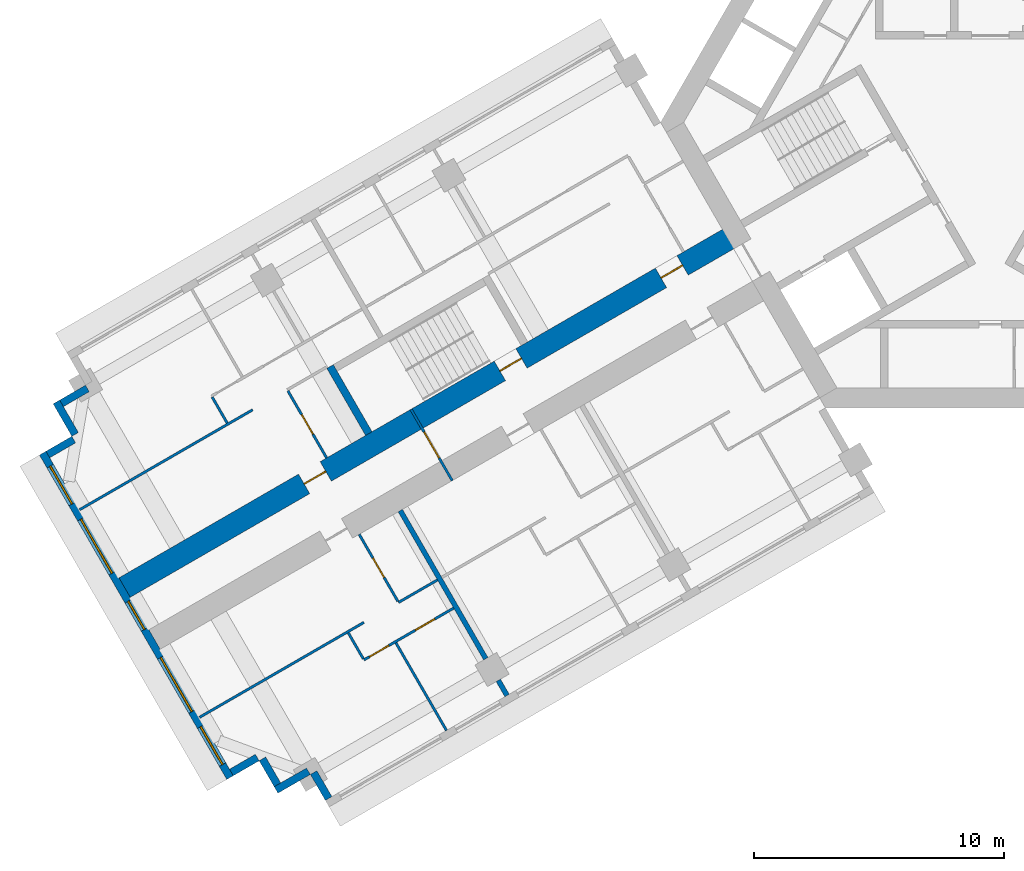
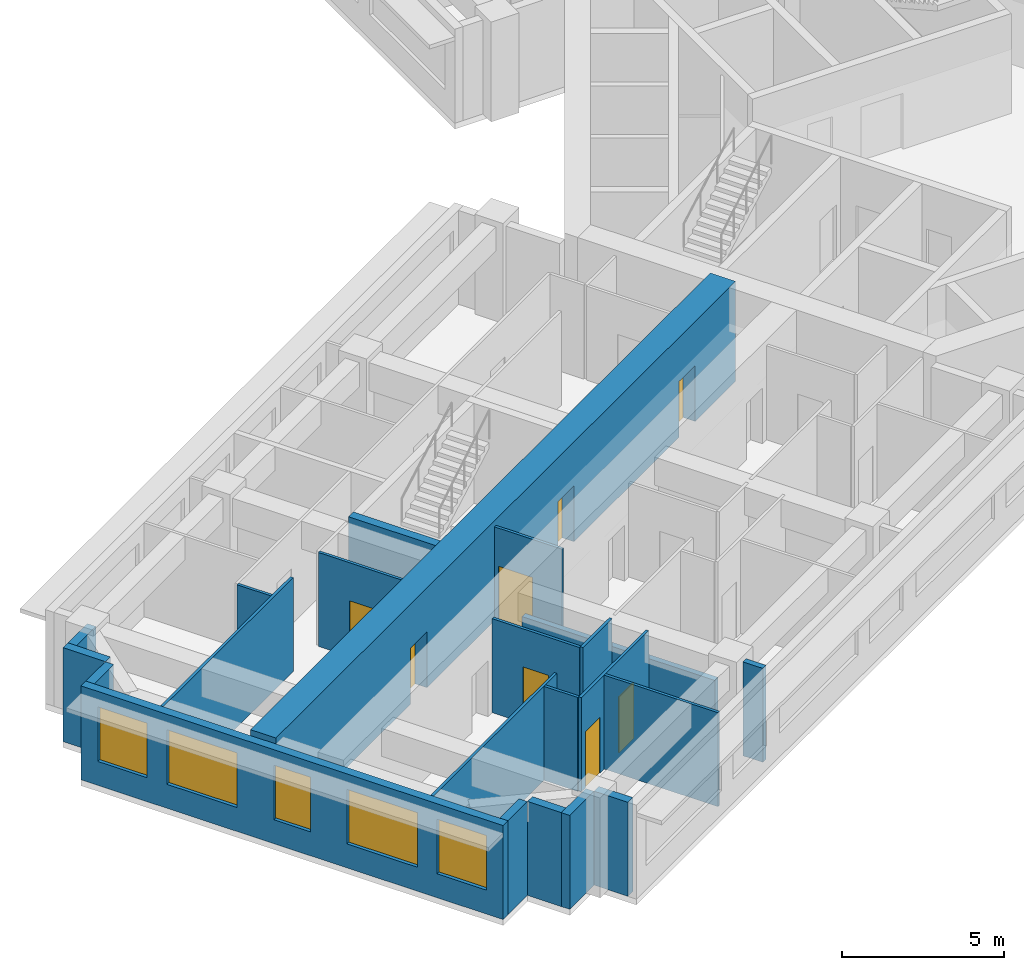
# One storey, part 2 of 12: 22 walls, 8 doors, 5 windows, 13 openings.
"""IFC4 building model written with IfcOpenShell, lengths in metres."""

from ifc_helpers import new_model, si_unit, direction, frame, frame_2d, origin, place, context, subcontext, project, spatial, rectangle, extrude, material, layer, layer_set, type_object, element, fill, save


model = new_model("IFC4")

# Units and contexts
model_context = context("Model", 3, precision=1e-05, world=origin(), true_north=direction((0.0, 1.0)))
body_context = subcontext(model_context, "Body", "Model", "MODEL_VIEW")
ifc_project = project(units=[si_unit("LENGTHUNIT", "METRE"), si_unit("AREAUNIT", "SQUARE_METRE"), si_unit("VOLUMEUNIT", "CUBIC_METRE"), si_unit("PLANEANGLEUNIT", "RADIAN"), si_unit("MASSUNIT", "GRAM", prefix="KILO")], contexts=[model_context])

# Site, building, storey
site_placement = place(None, origin())
site = spatial("IfcSite", under=ifc_project, at=site_placement, CompositionType="ELEMENT")
building_placement = place(site_placement, origin())
building = spatial("IfcBuilding", under=site, at=building_placement, Name="Impinga Residences", CompositionType="ELEMENT")
storey_placement = place(building_placement, frame((0.0, 0.0, 169.75)))
storey = spatial("IfcBuildingStorey", under=building, at=storey_placement, Name="L42", CompositionType="ELEMENT", Elevation=169.75)

# Wall, openings, doors
ifc_material_1 = material(Name="Concrete C60/75", Category="concrete")
ifc_layer_1 = layer(ifc_material_1, 0.89990234375)
ifc_layer_set_1 = layer_set([ifc_layer_1], Name="Concrete C60/75")
wall_type_1 = type_object("IfcWallType", Name="BW2 corridor buttress wall, L24 to L44 900", PredefinedType="SHEAR", material=ifc_layer_set_1)
wall_1_placement = place(storey_placement, frame((-10.153564453125, -4.4765625, 0.0), z_axis=(0.0, 0.0, 1.0), x_axis=(-0.866027127636, -0.49999701419, 0.0)))
wall_1 = element("IfcWall", 1, at=wall_1_placement, inside=storey, type_object=wall_type_1, Name="Corridor wall BW2 WD L42", PredefinedType="SHEAR", context=body_context, shape_type="SweptSolid", body=[
    extrude(rectangle(XDim=28.300048828125, YDim=0.89990234375, at=frame_2d((14.14990234375, 0.0))), origin(), (0.0, 0.0, 1.0), 3.75),
])
opening_1_placement = place(wall_1_placement, frame((9.949951171875, 0.0, 0.0)))
opening_1 = element("IfcOpeningElement", 2, at=opening_1_placement, cuts=wall_1, Name="Opening D5", PredefinedType="OPENING", context=body_context, shape_type="SweptSolid", body=[
    extrude(rectangle(XDim=1.0, YDim=2.10009765625, at=frame_2d((0.5, 1.050048828125))), frame((0.0, 0.4599609375, 0.0), z_axis=(0.0, -1.0, 0.0), x_axis=(1.0, 0.0, 0.0)), (0.0, 0.0, 1.0), 0.919921875),
])
opening_2_placement = place(wall_1_placement, frame((2.5, 0.0, 0.0)))
opening_2 = element("IfcOpeningElement", 3, at=opening_2_placement, cuts=wall_1, Name="Opening D1", PredefinedType="OPENING", context=body_context, shape_type="SweptSolid", body=[
    extrude(rectangle(XDim=1.0, YDim=2.10009765625, at=frame_2d((0.5, 1.050048828125))), frame((0.0, 0.4599609375, 0.0), z_axis=(0.0, -1.0, 0.0), x_axis=(1.0, 0.0, 0.0)), (0.0, 0.0, 1.0), 0.919921875),
])
opening_3_placement = place(wall_1_placement, frame((19.0, 0.0, 0.0)))
opening_3 = element("IfcOpeningElement", 4, at=opening_3_placement, cuts=wall_1, Name="Opening D1", PredefinedType="OPENING", context=body_context, shape_type="SweptSolid", body=[
    extrude(rectangle(XDim=1.0, YDim=2.10009765625, at=frame_2d((0.5, 1.050048828125))), frame((0.0, 0.4599609375, 0.0), z_axis=(0.0, -1.0, 0.0), x_axis=(1.0, 0.0, 0.0)), (0.0, 0.0, 1.0), 0.919921875),
])
ifc_material_2 = material(Name="Timber door set", Category="wood")
door_type_1 = type_object("IfcDoorType", Name="D1 apartment entrance door 1000x2100", OperationType="SINGLE_SWING_LEFT", PredefinedType="DOOR", material=ifc_material_2)
door_1_placement = place(opening_2_placement, origin())
door_1 = element("IfcDoor", 5, at=door_1_placement, inside=storey, type_object=door_type_1, Name="Apartment L42-WF1 entrance", OperationType="SINGLE_SWING_LEFT", OverallHeight=2.10009765625, OverallWidth=1.0, PredefinedType="DOOR", context=body_context, shape_type="SweptSolid", body=[
    extrude(rectangle(XDim=1.0, YDim=2.10009765625, at=frame_2d((0.5, 1.050048828125))), frame((0.0, 0.02490234375, 0.0), z_axis=(0.0, -1.0, 0.0), x_axis=(1.0, 0.0, 0.0)), (0.0, 0.0, 1.0), 0.050048828125),
])
fill(opening_2, door_1)
door_2_placement = place(opening_3_placement, origin())
door_2 = element("IfcDoor", 6, at=door_2_placement, inside=storey, type_object=door_type_1, Name="Apartment L42-WF2 entrance", OperationType="SINGLE_SWING_RIGHT", OverallHeight=2.10009765625, OverallWidth=1.0, PredefinedType="DOOR", context=body_context, shape_type="SweptSolid", body=[
    extrude(rectangle(XDim=1.0, YDim=2.10009765625, at=frame_2d((0.5, 1.050048828125))), frame((0.0, 0.02490234375, 0.0), z_axis=(0.0, -1.0, 0.0), x_axis=(1.0, 0.0, 0.0)), (0.0, 0.0, 1.0), 0.050048828125),
])
fill(opening_3, door_2)
door_type_2 = type_object("IfcDoorType", Name="D5 stair door 1000x2100", OperationType="SINGLE_SWING_LEFT", PredefinedType="DOOR", material=ifc_material_2)
door_3_placement = place(opening_1_placement, origin())
door_3 = element("IfcDoor", 7, at=door_3_placement, inside=storey, type_object=door_type_2, Name="Wing stair door W", OperationType="SINGLE_SWING_LEFT", OverallHeight=2.10009765625, OverallWidth=1.0, PredefinedType="DOOR", context=body_context, shape_type="SweptSolid", body=[
    extrude(rectangle(XDim=1.0, YDim=2.10009765625, at=frame_2d((0.5, 1.050048828125))), frame((0.0, 0.02490234375, 0.0), z_axis=(0.0, -1.0, 0.0), x_axis=(1.0, 0.0, 0.0)), (0.0, 0.0, 1.0), 0.050048828125),
])
fill(opening_1, door_3)

# Wall, opening, door
ifc_material_3 = material(Name="Concrete blockwork", Category="masonry")
ifc_layer_2 = layer(ifc_material_3, 0.10009765625)
ifc_layer_set_2 = layer_set([ifc_layer_2], Name="CP1 core room partition, blockwork 100")
wall_type_2 = type_object("IfcWallType", Name="CP1 core room partition, blockwork 100", PredefinedType="PARTITIONING", material=ifc_layer_set_2)
wall_2_placement = place(storey_placement, frame((-21.545654296875, -14.3447265625, 0.0), z_axis=(0.0, 0.0, 1.0), x_axis=(-0.50002983664, 0.866008176907, 0.0)))
wall_2 = element("IfcWall", 8, at=wall_2_placement, inside=storey, type_object=wall_type_2, Name="Core room partition, blockwork L42:W:PLB", PredefinedType="PARTITIONING", context=body_context, shape_type="SweptSolid", body=[
    extrude(rectangle(XDim=3.300048828125, YDim=0.10009765625, at=frame_2d((1.64990234375, 0.0))), origin(), (0.0, 0.0, 1.0), 3.530029296875),
])
opening_4_placement = place(wall_2_placement, frame((1.050048828125, 0.0, 0.0)))
opening_4 = element("IfcOpeningElement", 9, at=opening_4_placement, cuts=wall_2, Name="Opening D3", PredefinedType="OPENING", context=body_context, shape_type="SweptSolid", body=[
    extrude(rectangle(XDim=1.199951171875, YDim=2.10009765625, at=frame_2d((0.60009765625, 1.050048828125))), frame((0.0, 0.06005859375, 0.0), z_axis=(0.0, -1.0, 0.0), x_axis=(1.0, 0.0, 0.0)), (0.0, 0.0, 1.0), 0.1201171875),
])
door_type_3 = type_object("IfcDoorType", Name="D3 room door, leaf and a half 1200x2100", OperationType="DOUBLE_SWING_LEFT", PredefinedType="DOOR", material=ifc_material_2)
door_4_placement = place(opening_4_placement, origin())
door_4 = element("IfcDoor", 10, at=door_4_placement, inside=storey, type_object=door_type_3, Name="Private lobby door W", OperationType="DOUBLE_SWING_LEFT", OverallHeight=2.10009765625, OverallWidth=1.199951171875, PredefinedType="DOOR", context=body_context, shape_type="SweptSolid", body=[
    extrude(rectangle(XDim=1.199951171875, YDim=2.10009765625, at=frame_2d((0.60009765625, 1.050048828125))), frame((0.0, 0.02490234375, 0.0), z_axis=(0.0, -1.0, 0.0), x_axis=(1.0, 0.0, 0.0)), (0.0, 0.0, 1.0), 0.050048828125),
])
fill(opening_4, door_4)

# Walls
ifc_material_4 = material(Name="Terracotta rainscreen on blockwork", Category="masonry")
ifc_layer_3 = layer(ifc_material_4, 0.300048828125)
ifc_layer_set_3 = layer_set([ifc_layer_3], Name="EW1 external wall, terracotta rainscreen on blockwork 300")
wall_type_3 = type_object("IfcWallType", Name="EW1 external wall, terracotta rainscreen on blockwork 300", PredefinedType="SOLIDWALL", material=ifc_layer_set_3)
wall_3_placement = place(storey_placement, frame((-26.493896484375, -27.07421875, 0.0), z_axis=(0.0, 0.0, 1.0), x_axis=(-0.500033551112, 0.866006032174, 0.0)))
element("IfcWall", 11, at=wall_3_placement, inside=storey, type_object=wall_type_3, Name="External wall EW1 L42", PredefinedType="SOLIDWALL", context=body_context, shape_type="SweptSolid", body=[
    extrude(rectangle(XDim=1.2001953125, YDim=0.300048828125, at=frame_2d((0.60009765625, 0.0))), origin(), (0.0, 0.0, 1.0), 3.530029296875),
])
wall_4_placement = place(storey_placement, frame((-27.30322265625, -25.982666015625, 0.0), z_axis=(0.0, 0.0, 1.0), x_axis=(-0.866074087889, -0.499915667175, 0.0)))
element("IfcWall", 12, at=wall_4_placement, inside=storey, type_object=wall_type_3, Name="External wall EW1 L42", PredefinedType="SOLIDWALL", context=body_context, shape_type="SweptSolid", body=[
    extrude(rectangle(XDim=1.494873046875, YDim=0.300048828125, at=frame_2d((0.74755859375, 0.0))), origin(), (0.0, 0.0, 1.0), 3.530029296875),
])
wall_5_placement = place(storey_placement, frame((-28.54296875, -26.525146484375, 0.0), z_axis=(0.0, 0.0, 1.0), x_axis=(-0.500033551112, 0.866006032174, 0.0)))
element("IfcWall", 13, at=wall_5_placement, inside=storey, type_object=wall_type_3, Name="External wall EW1 L42", PredefinedType="SOLIDWALL", context=body_context, shape_type="SweptSolid", body=[
    extrude(rectangle(XDim=1.2001953125, YDim=0.300048828125, at=frame_2d((0.60009765625, 0.0))), origin(), (0.0, 0.0, 1.0), 3.530029296875),
])
wall_6_placement = place(storey_placement, frame((-29.352294921875, -25.43359375, 0.0), z_axis=(0.0, 0.0, 1.0), x_axis=(-0.866059708757, -0.499940577336, 0.0)))
element("IfcWall", 14, at=wall_6_placement, inside=storey, type_object=wall_type_3, Name="External wall EW1 L42", PredefinedType="SOLIDWALL", context=body_context, shape_type="SweptSolid", body=[
    extrude(rectangle(XDim=1.195068359375, YDim=0.300048828125, at=frame_2d((0.59765625, 0.0))), origin(), (0.0, 0.0, 1.0), 3.530029296875),
])

# Wall, openings, windows
wall_7_placement = place(storey_placement, frame((-30.44189453125, -26.23583984375, 0.0), z_axis=(0.0, 0.0, 1.0), x_axis=(-0.500004234368, 0.866022959057, 0.0)))
wall_7 = element("IfcWall", 15, at=wall_7_placement, inside=storey, type_object=wall_type_3, Name="External wall EW1 L42", PredefinedType="SOLIDWALL", context=body_context, shape_type="SweptSolid", body=[
    extrude(rectangle(XDim=14.999755859375, YDim=0.300048828125, at=frame_2d((7.5, 0.0))), origin(), (0.0, 0.0, 1.0), 3.530029296875),
])
opening_5_placement = place(wall_7_placement, frame((0.60009765625, 0.0, 0.89990234375)))
opening_5 = element("IfcOpeningElement", 16, at=opening_5_placement, cuts=wall_7, Name="Opening W1", PredefinedType="OPENING", context=body_context, shape_type="SweptSolid", body=[
    extrude(rectangle(XDim=1.75, YDim=2.050048828125, at=frame_2d((0.875, 1.02490234375))), frame((0.0, 0.159912109375, 0.0), z_axis=(0.0, -1.0, 0.0), x_axis=(1.0, 0.0, 0.0)), (0.0, 0.0, 1.0), 0.320068359375),
])
opening_6_placement = place(wall_7_placement, frame((3.050048828125, 0.0, 0.89990234375)))
opening_6 = element("IfcOpeningElement", 17, at=opening_6_placement, cuts=wall_7, Name="Opening W2", PredefinedType="OPENING", context=body_context, shape_type="SweptSolid", body=[
    extrude(rectangle(XDim=2.5, YDim=2.050048828125, at=frame_2d((1.25, 1.02490234375))), frame((0.0, 0.159912109375, 0.0), z_axis=(0.0, -1.0, 0.0), x_axis=(1.0, 0.0, 0.0)), (0.0, 0.0, 1.0), 0.320068359375),
])
opening_7_placement = place(wall_7_placement, frame((6.85009765625, 0.0, 0.89990234375)))
opening_7 = element("IfcOpeningElement", 18, at=opening_7_placement, cuts=wall_7, Name="Opening W17", PredefinedType="OPENING", context=body_context, shape_type="SweptSolid", body=[
    extrude(rectangle(XDim=1.300048828125, YDim=2.050048828125, at=frame_2d((0.64990234375, 1.02490234375))), frame((0.0, 0.159912109375, 0.0), z_axis=(0.0, -1.0, 0.0), x_axis=(1.0, 0.0, 0.0)), (0.0, 0.0, 1.0), 0.320068359375),
])
opening_8_placement = place(wall_7_placement, frame((9.449951171875, 0.0, 0.89990234375)))
opening_8 = element("IfcOpeningElement", 19, at=opening_8_placement, cuts=wall_7, Name="Opening W2", PredefinedType="OPENING", context=body_context, shape_type="SweptSolid", body=[
    extrude(rectangle(XDim=2.5, YDim=2.050048828125, at=frame_2d((1.25, 1.02490234375))), frame((0.0, 0.159912109375, 0.0), z_axis=(0.0, -1.0, 0.0), x_axis=(1.0, 0.0, 0.0)), (0.0, 0.0, 1.0), 0.320068359375),
])
opening_9_placement = place(wall_7_placement, frame((12.64990234375, 0.0, 0.89990234375)))
opening_9 = element("IfcOpeningElement", 20, at=opening_9_placement, cuts=wall_7, Name="Opening W1", PredefinedType="OPENING", context=body_context, shape_type="SweptSolid", body=[
    extrude(rectangle(XDim=1.75, YDim=2.050048828125, at=frame_2d((0.875, 1.02490234375))), frame((0.0, 0.159912109375, 0.0), z_axis=(0.0, -1.0, 0.0), x_axis=(1.0, 0.0, 0.0)), (0.0, 0.0, 1.0), 0.320068359375),
])
ifc_material_5 = material(Name="Aluminium window, clear double glazing", Category="aluminium")
window_type_1 = type_object("IfcWindowType", Name="W1 ribbon window 1750x2050", PartitioningType="SINGLE_PANEL", PredefinedType="WINDOW", material=ifc_material_5)
window_1_placement = place(opening_5_placement, origin())
window_1 = element("IfcWindow", 21, at=window_1_placement, inside=storey, type_object=window_type_1, Name="Window L42", OverallHeight=2.050048828125, OverallWidth=1.75, PartitioningType="SINGLE_PANEL", PredefinedType="WINDOW", context=body_context, shape_type="SweptSolid", body=[
    extrude(rectangle(XDim=1.75, YDim=2.050048828125, at=frame_2d((0.875, 1.02490234375))), frame((0.0, 0.030029296875, 0.0), z_axis=(0.0, -1.0, 0.0), x_axis=(1.0, 0.0, 0.0)), (0.0, 0.0, 1.0), 0.06005859375),
])
fill(opening_5, window_1)
window_2_placement = place(opening_9_placement, origin())
window_2 = element("IfcWindow", 22, at=window_2_placement, inside=storey, type_object=window_type_1, Name="Window L42", OverallHeight=2.050048828125, OverallWidth=1.75, PartitioningType="SINGLE_PANEL", PredefinedType="WINDOW", context=body_context, shape_type="SweptSolid", body=[
    extrude(rectangle(XDim=1.75, YDim=2.050048828125, at=frame_2d((0.875, 1.02490234375))), frame((0.0, 0.030029296875, 0.0), z_axis=(0.0, -1.0, 0.0), x_axis=(1.0, 0.0, 0.0)), (0.0, 0.0, 1.0), 0.06005859375),
])
fill(opening_9, window_2)
window_type_2 = type_object("IfcWindowType", Name="W17 ribbon window 1300x2050", PartitioningType="SINGLE_PANEL", PredefinedType="WINDOW", material=ifc_material_5)
window_3_placement = place(opening_7_placement, origin())
window_3 = element("IfcWindow", 23, at=window_3_placement, inside=storey, type_object=window_type_2, Name="Window L42", OverallHeight=2.050048828125, OverallWidth=1.300048828125, PartitioningType="SINGLE_PANEL", PredefinedType="WINDOW", context=body_context, shape_type="SweptSolid", body=[
    extrude(rectangle(XDim=1.300048828125, YDim=2.050048828125, at=frame_2d((0.64990234375, 1.02490234375))), frame((0.0, 0.030029296875, 0.0), z_axis=(0.0, -1.0, 0.0), x_axis=(1.0, 0.0, 0.0)), (0.0, 0.0, 1.0), 0.06005859375),
])
fill(opening_7, window_3)
window_type_3 = type_object("IfcWindowType", Name="W2 ribbon window 2500x2050", PartitioningType="SINGLE_PANEL", PredefinedType="WINDOW", material=ifc_material_5)
window_4_placement = place(opening_6_placement, origin())
window_4 = element("IfcWindow", 24, at=window_4_placement, inside=storey, type_object=window_type_3, Name="Window L42", OverallHeight=2.050048828125, OverallWidth=2.5, PartitioningType="SINGLE_PANEL", PredefinedType="WINDOW", context=body_context, shape_type="SweptSolid", body=[
    extrude(rectangle(XDim=2.5, YDim=2.050048828125, at=frame_2d((1.25, 1.02490234375))), frame((0.0, 0.030029296875, 0.0), z_axis=(0.0, -1.0, 0.0), x_axis=(1.0, 0.0, 0.0)), (0.0, 0.0, 1.0), 0.06005859375),
])
fill(opening_6, window_4)
window_5_placement = place(opening_8_placement, origin())
window_5 = element("IfcWindow", 25, at=window_5_placement, inside=storey, type_object=window_type_3, Name="Window L42", OverallHeight=2.050048828125, OverallWidth=2.5, PartitioningType="SINGLE_PANEL", PredefinedType="WINDOW", context=body_context, shape_type="SweptSolid", body=[
    extrude(rectangle(XDim=2.5, YDim=2.050048828125, at=frame_2d((1.25, 1.02490234375))), frame((0.0, 0.030029296875, 0.0), z_axis=(0.0, -1.0, 0.0), x_axis=(1.0, 0.0, 0.0)), (0.0, 0.0, 1.0), 0.06005859375),
])
fill(opening_8, window_5)

# Walls
wall_8_placement = place(storey_placement, frame((-37.737060546875, -13.300537109375, 0.0), z_axis=(0.0, 0.0, 1.0), x_axis=(0.865971243484, 0.500093796661, 0.0)))
element("IfcWall", 26, at=wall_8_placement, inside=storey, type_object=wall_type_3, Name="External wall EW1 L42", PredefinedType="SOLIDWALL", context=body_context, shape_type="SweptSolid", body=[
    extrude(rectangle(XDim=1.195068359375, YDim=0.300048828125, at=frame_2d((0.59765625, 0.0))), origin(), (0.0, 0.0, 1.0), 3.530029296875),
])
wall_9_placement = place(storey_placement, frame((-36.64306640625, -12.49560546875, 0.0), z_axis=(0.0, 0.0, 1.0), x_axis=(-0.499990139034, 0.866031096941, 0.0)))
element("IfcWall", 27, at=wall_9_placement, inside=storey, type_object=wall_type_3, Name="External wall EW1 L42", PredefinedType="SOLIDWALL", context=body_context, shape_type="SweptSolid", body=[
    extrude(rectangle(XDim=1.5, YDim=0.300048828125, at=frame_2d((0.75, 0.0))), origin(), (0.0, 0.0, 1.0), 3.530029296875),
])
wall_10_placement = place(storey_placement, frame((-37.18798828125, -11.25146484375, 0.0), z_axis=(0.0, 0.0, 1.0), x_axis=(0.866059708757, 0.499940577336, 0.0)))
element("IfcWall", 28, at=wall_10_placement, inside=storey, type_object=wall_type_3, Name="External wall EW1 L42", PredefinedType="SOLIDWALL", context=body_context, shape_type="SweptSolid", body=[
    extrude(rectangle(XDim=1.195068359375, YDim=0.300048828125, at=frame_2d((0.59765625, 0.0))), origin(), (0.0, 0.0, 1.0), 3.530029296875),
])
ifc_material_6 = material(Name="Gypsum board on steel studs", Category="steel")
ifc_layer_4 = layer(ifc_material_6, 0.10009765625)
ifc_layer_set_4 = layer_set([ifc_layer_4], Name="Gypsum board on steel studs")
wall_type_4 = type_object("IfcWallType", Name="IP1 partition 100", PredefinedType="PARTITIONING", material=ifc_layer_set_4)
wall_11_placement = place(storey_placement, frame((-22.1357421875, -18.32275390625, 0.0), z_axis=(0.0, 0.0, 1.0), x_axis=(-0.866047807691, -0.499961193289, 0.0)))
element("IfcWall", 29, at=wall_11_placement, inside=storey, type_object=wall_type_4, Name="Partition L42-WA3:DIV0", PredefinedType="PARTITIONING", context=body_context, shape_type="SweptSolid", body=[
    extrude(rectangle(XDim=1.800048828125, YDim=0.10009765625, at=frame_2d((0.89990234375, 0.0))), origin(), (0.0, 0.0, 1.0), 3.530029296875),
])
wall_12_placement = place(storey_placement, frame((-25.080322265625, -20.022705078125, 0.0), z_axis=(0.0, 0.0, 1.0), x_axis=(-0.866022425744, -0.500005158081, 0.0)))
element("IfcWall", 30, at=wall_12_placement, inside=storey, type_object=wall_type_4, Name="Partition L42-WA3:DIV1", PredefinedType="PARTITIONING", context=body_context, shape_type="SweptSolid", body=[
    extrude(rectangle(XDim=7.60009765625, YDim=0.10009765625, at=frame_2d((3.800048828125, 0.0))), origin(), (0.0, 0.0, 1.0), 3.530029296875),
])

# Wall, openings, doors
wall_13_placement = place(storey_placement, frame((-21.48583984375, -19.448486328125, 0.0), z_axis=(0.0, 0.0, 1.0), x_axis=(-0.86602981871, -0.499992353047, 0.0)))
wall_13 = element("IfcWall", 31, at=wall_13_placement, inside=storey, type_object=wall_type_4, Name="Partition L42-WA3:STRIP", PredefinedType="PARTITIONING", context=body_context, shape_type="SweptSolid", body=[
    extrude(rectangle(XDim=4.14990234375, YDim=0.10009765625, at=frame_2d((2.074951171875, 0.0))), origin(), (0.0, 0.0, 1.0), 3.530029296875),
])
opening_10_placement = place(wall_13_placement, frame((0.875, 0.0, 0.0)))
opening_10 = element("IfcOpeningElement", 32, at=opening_10_placement, cuts=wall_13, Name="Opening D2", PredefinedType="OPENING", context=body_context, shape_type="SweptSolid", body=[
    extrude(rectangle(XDim=0.89990234375, YDim=2.10009765625, at=frame_2d((0.449951171875, 1.050048828125))), frame((0.0, 0.06005859375, 0.0), z_axis=(0.0, -1.0, 0.0), x_axis=(1.0, 0.0, 0.0)), (0.0, 0.0, 1.0), 0.1201171875),
])
opening_11_placement = place(wall_13_placement, frame((3.0, 0.0, 0.0)))
opening_11 = element("IfcOpeningElement", 33, at=opening_11_placement, cuts=wall_13, Name="Opening D2", PredefinedType="OPENING", context=body_context, shape_type="SweptSolid", body=[
    extrude(rectangle(XDim=0.89990234375, YDim=2.10009765625, at=frame_2d((0.449951171875, 1.050048828125))), frame((0.0, 0.06005859375, 0.0), z_axis=(0.0, -1.0, 0.0), x_axis=(1.0, 0.0, 0.0)), (0.0, 0.0, 1.0), 0.1201171875),
])
door_type_4 = type_object("IfcDoorType", Name="D2 internal door 900x2100", OperationType="SINGLE_SWING_LEFT", PredefinedType="DOOR", material=ifc_material_2)
door_5_placement = place(opening_10_placement, origin())
door_5 = element("IfcDoor", 34, at=door_5_placement, inside=storey, type_object=door_type_4, Name="Apartment L42-WA3 room door", OperationType="SINGLE_SWING_LEFT", OverallHeight=2.10009765625, OverallWidth=0.89990234375, PredefinedType="DOOR", context=body_context, shape_type="SweptSolid", body=[
    extrude(rectangle(XDim=0.89990234375, YDim=2.10009765625, at=frame_2d((0.449951171875, 1.050048828125))), frame((0.0, 0.02490234375, 0.0), z_axis=(0.0, -1.0, 0.0), x_axis=(1.0, 0.0, 0.0)), (0.0, 0.0, 1.0), 0.050048828125),
])
fill(opening_10, door_5)
door_6_placement = place(opening_11_placement, origin())
door_6 = element("IfcDoor", 35, at=door_6_placement, inside=storey, type_object=door_type_4, Name="Apartment L42-WA3 room door", OperationType="SINGLE_SWING_RIGHT", OverallHeight=2.10009765625, OverallWidth=0.89990234375, PredefinedType="DOOR", context=body_context, shape_type="SweptSolid", body=[
    extrude(rectangle(XDim=0.89990234375, YDim=2.10009765625, at=frame_2d((0.449951171875, 1.050048828125))), frame((0.0, 0.02490234375, 0.0), z_axis=(0.0, -1.0, 0.0), x_axis=(1.0, 0.0, 0.0)), (0.0, 0.0, 1.0), 0.050048828125),
])
fill(opening_11, door_6)

# Wall
wall_14_placement = place(storey_placement, frame((-25.704833984375, -20.44091796875, 0.0), z_axis=(0.0, 0.0, 1.0), x_axis=(0.500033551112, -0.866006032174, 0.0)))
element("IfcWall", 36, at=wall_14_placement, inside=storey, type_object=wall_type_4, Name="Partition L42-WA3:SE1", PredefinedType="PARTITIONING", context=body_context, shape_type="SweptSolid", body=[
    extrude(rectangle(XDim=1.2001953125, YDim=0.10009765625, at=frame_2d((0.60009765625, 0.0))), origin(), (0.0, 0.0, 1.0), 3.530029296875),
])

# Wall, opening, door
wall_15_placement = place(storey_placement, frame((-25.269775390625, -16.49462890625, 0.0), z_axis=(0.0, 0.0, 1.0), x_axis=(0.49999285859, -0.86602952684, 0.0)))
wall_15 = element("IfcWall", 37, at=wall_15_placement, inside=storey, type_object=wall_type_4, Name="Partition L42-WA3:IB1", PredefinedType="PARTITIONING", context=body_context, shape_type="SweptSolid", body=[
    extrude(rectangle(XDim=3.10009765625, YDim=0.10009765625, at=frame_2d((1.550048828125, 0.0))), origin(), (0.0, 0.0, 1.0), 3.530029296875),
])
opening_12_placement = place(wall_15_placement, frame((1.10009765625, 0.0, 0.0)))
opening_12 = element("IfcOpeningElement", 38, at=opening_12_placement, cuts=wall_15, Name="Opening D2", PredefinedType="OPENING", context=body_context, shape_type="SweptSolid", body=[
    extrude(rectangle(XDim=0.89990234375, YDim=2.10009765625, at=frame_2d((0.449951171875, 1.050048828125))), frame((0.0, 0.06005859375, 0.0), z_axis=(0.0, -1.0, 0.0), x_axis=(1.0, 0.0, 0.0)), (0.0, 0.0, 1.0), 0.1201171875),
])
door_7_placement = place(opening_12_placement, origin())
door_7 = element("IfcDoor", 39, at=door_7_placement, inside=storey, type_object=door_type_4, Name="Apartment L42-WA3 bathroom door", OperationType="SINGLE_SWING_LEFT", OverallHeight=2.10009765625, OverallWidth=0.89990234375, PredefinedType="DOOR", context=body_context, shape_type="SweptSolid", body=[
    extrude(rectangle(XDim=0.89990234375, YDim=2.10009765625, at=frame_2d((0.449951171875, 1.050048828125))), frame((0.0, 0.02490234375, 0.0), z_axis=(0.0, -1.0, 0.0), x_axis=(1.0, 0.0, 0.0)), (0.0, 0.0, 1.0), 0.050048828125),
])
fill(opening_12, door_7)

# Walls
wall_16_placement = place(storey_placement, frame((-23.799072265625, -20.841796875, 0.0), z_axis=(0.0, 0.0, 1.0), x_axis=(0.499990325971, -0.866030989016, 0.0)))
element("IfcWall", 40, at=wall_16_placement, inside=storey, type_object=wall_type_4, Name="Partition L42-WA3:OB1", PredefinedType="PARTITIONING", context=body_context, shape_type="SweptSolid", body=[
    extrude(rectangle(XDim=4.0498046875, YDim=0.10009765625, at=frame_2d((2.02490234375, 0.0))), origin(), (0.0, 0.0, 1.0), 3.530029296875),
])
wall_17_placement = place(storey_placement, frame((-29.533935546875, -11.5087890625, 0.0), z_axis=(0.0, 0.0, 1.0), x_axis=(-0.866026010844, -0.49999894854, 0.0)))
element("IfcWall", 41, at=wall_17_placement, inside=storey, type_object=wall_type_4, Name="Partition L42-WF2:DIV1", PredefinedType="PARTITIONING", context=body_context, shape_type="SweptSolid", body=[
    extrude(rectangle(XDim=8.0, YDim=0.10009765625, at=frame_2d((4.0, 0.0))), origin(), (0.0, 0.0, 1.0), 3.530029296875),
])
wall_18_placement = place(storey_placement, frame((-30.554931640625, -12.04052734375, 0.0), z_axis=(0.0, 0.0, 1.0), x_axis=(-0.499880961361, 0.866094119867, 0.0)))
element("IfcWall", 42, at=wall_18_placement, inside=storey, type_object=wall_type_4, Name="Partition L42-WF2:SE1", PredefinedType="PARTITIONING", context=body_context, shape_type="SweptSolid", body=[
    extrude(rectangle(XDim=1.199951171875, YDim=0.10009765625, at=frame_2d((0.60009765625, 0.0))), origin(), (0.0, 0.0, 1.0), 3.530029296875),
])

# Wall, opening, door
wall_19_placement = place(storey_placement, frame((-26.5732421875, -13.436767578125, 0.0), z_axis=(0.0, 0.0, 1.0), x_axis=(-0.500026960575, 0.86600983753, 0.0)))
wall_19 = element("IfcWall", 43, at=wall_19_placement, inside=storey, type_object=wall_type_4, Name="Partition L42-WF2:IB1", PredefinedType="PARTITIONING", context=body_context, shape_type="SweptSolid", body=[
    extrude(rectangle(XDim=3.099853515625, YDim=0.10009765625, at=frame_2d((1.5498046875, 0.0))), origin(), (0.0, 0.0, 1.0), 3.530029296875),
])
opening_13_placement = place(wall_19_placement, frame((1.10009765625, 0.0, 0.0)))
opening_13 = element("IfcOpeningElement", 44, at=opening_13_placement, cuts=wall_19, Name="Opening D2", PredefinedType="OPENING", context=body_context, shape_type="SweptSolid", body=[
    extrude(rectangle(XDim=0.89990234375, YDim=2.10009765625, at=frame_2d((0.449951171875, 1.050048828125))), frame((0.0, 0.06005859375, 0.0), z_axis=(0.0, -1.0, 0.0), x_axis=(1.0, 0.0, 0.0)), (0.0, 0.0, 1.0), 0.1201171875),
])
door_8_placement = place(opening_13_placement, origin())
door_8 = element("IfcDoor", 45, at=door_8_placement, inside=storey, type_object=door_type_4, Name="Apartment L42-WF2 bathroom door", OperationType="SINGLE_SWING_LEFT", OverallHeight=2.10009765625, OverallWidth=0.89990234375, PredefinedType="DOOR", context=body_context, shape_type="SweptSolid", body=[
    extrude(rectangle(XDim=0.89990234375, YDim=2.10009765625, at=frame_2d((0.449951171875, 1.050048828125))), frame((0.0, 0.02490234375, 0.0), z_axis=(0.0, -1.0, 0.0), x_axis=(1.0, 0.0, 0.0)), (0.0, 0.0, 1.0), 0.050048828125),
])
fill(opening_13, door_8)

# Walls
ifc_layer_5 = layer(ifc_material_3, 0.199951171875)
ifc_layer_set_5 = layer_set([ifc_layer_5], Name="PW1 party wall between apartments 200")
wall_type_5 = type_object("IfcWallType", Name="PW1 party wall between apartments 200", PredefinedType="SOLIDWALL", material=ifc_layer_set_5)
wall_20_placement = place(storey_placement, frame((-23.624267578125, -15.544677734375, 0.0), z_axis=(0.0, 0.0, 1.0), x_axis=(0.499999086063, -0.866025931445, 0.0)))
element("IfcWall", 46, at=wall_20_placement, inside=storey, type_object=wall_type_5, Name="Party wall between apartments L42-WA2:PARTY", PredefinedType="SOLIDWALL", context=body_context, shape_type="SweptSolid", body=[
    extrude(rectangle(XDim=6.85009765625, YDim=0.199951171875, at=frame_2d((3.425048828125, 0.0))), origin(), (0.0, 0.0, 1.0), 2.47998046875),
])
wall_21_placement = place(storey_placement, frame((-19.69921875, -22.343017578125, 0.0), z_axis=(0.0, 0.0, 1.0), x_axis=(0.500114896893, -0.865959057869, 0.0)))
element("IfcWall", 47, at=wall_21_placement, inside=storey, type_object=wall_type_5, Name="Party wall between apartments L42-WA2:PARTYb", PredefinedType="SOLIDWALL", context=body_context, shape_type="SweptSolid", body=[
    extrude(rectangle(XDim=0.699951171875, YDim=0.199951171875, at=frame_2d((0.35009765625, 0.0))), origin(), (0.0, 0.0, 1.0), 3.530029296875),
])
ifc_layer_6 = layer(ifc_material_1, 0.300048828125)
ifc_layer_set_6 = layer_set([ifc_layer_6], Name="Concrete C60/75")
wall_type_6 = type_object("IfcWallType", Name="SE1 wing stair enclosure wall 300", PredefinedType="SOLIDWALL", material=ifc_layer_set_6)
wall_22_placement = place(storey_placement, frame((-24.884521484375, -12.4619140625, 0.0), z_axis=(0.0, 0.0, 1.0), x_axis=(-0.49999285859, 0.86602952684, 0.0)))
element("IfcWall", 48, at=wall_22_placement, inside=storey, type_object=wall_type_6, Name="Stair enclosure wall SE1 W END1 L42", PredefinedType="SOLIDWALL", context=body_context, shape_type="SweptSolid", body=[
    extrude(rectangle(XDim=3.10009765625, YDim=0.300048828125, at=frame_2d((1.550048828125, 0.0))), origin(), (0.0, 0.0, 1.0), 3.75),
])

save(model, "model.ifc")
